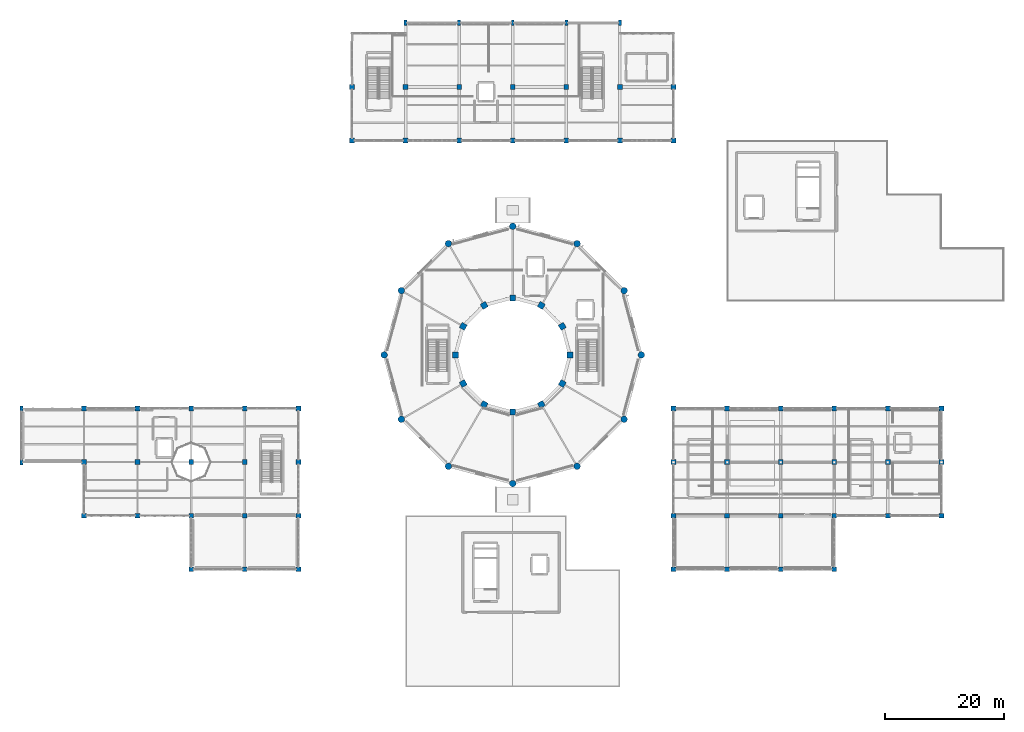
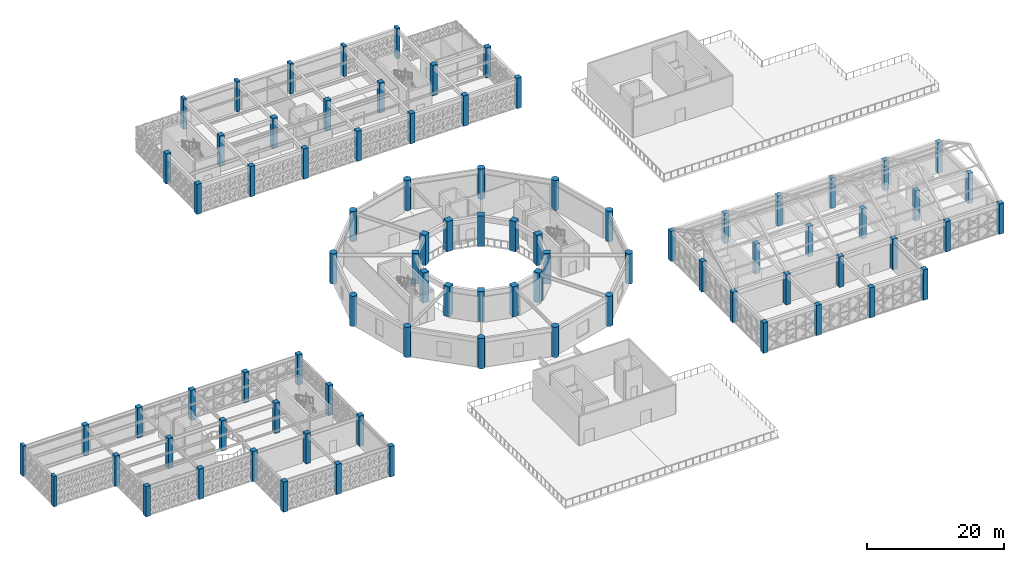
# One storey, part 1 of 86: 85 columns.
"""IFC4 building model written with IfcOpenShell, lengths in metres."""

from ifc_helpers import new_model, si_unit, direction, frame, origin, origin_2d, place, context, subcontext, project, spatial, rectangle, circle, extrude, material, material_profile, profile_set, type_object, element, save


model = new_model("IFC4")

# Units and contexts
model_context = context("Model", 3, precision=1e-05, world=origin(), true_north=direction((0.0, 1.0)))
body_context = subcontext(model_context, "Body", "Model", "MODEL_VIEW")
ifc_project = project(units=[si_unit("LENGTHUNIT", "METRE"), si_unit("AREAUNIT", "SQUARE_METRE"), si_unit("VOLUMEUNIT", "CUBIC_METRE"), si_unit("PLANEANGLEUNIT", "RADIAN"), si_unit("MASSUNIT", "GRAM", prefix="KILO")], contexts=[model_context])

# Site, building, storey
site_placement = place(None, origin())
site = spatial("IfcSite", under=ifc_project, at=site_placement, CompositionType="ELEMENT")
building_placement = place(site_placement, origin())
building = spatial("IfcBuilding", under=site, at=building_placement, Name="Haizhuo Lancet Aquarium", CompositionType="ELEMENT")
storey_placement = place(building_placement, frame((0.0, 0.0, 16.199951171875)))
storey = spatial("IfcBuildingStorey", under=building, at=storey_placement, Name="L03", CompositionType="ELEMENT", Elevation=16.199951171875)

# Columns
ifc_material_1 = material(Name="Concrete C50/60", Category="concrete")
ifc_material_profile_1 = material_profile(ifc_material_1, circle(Radius=0.550048828125, at=origin_2d()), Name="RC-DC 1100")
ifc_profile_set_1 = profile_set([ifc_material_profile_1], Name="Concrete C50/60")
column_type_1 = type_object("IfcColumnType", Name="COL-DC-1100", PredefinedType="COLUMN", material=ifc_profile_set_1)
for number, where, z_axis, x_axis, name in (
    (1, (21.60009765625, 0.0, 0.0), (0.0, 0.0, 1.0), (1.0, 0.0, 0.0), "L03 column V1-COL-001"),
    (2, (18.7060546875, 10.800048828125, 0.0), (0.0, 0.0, 1.0), (0.866025403784, 0.5, 0.0), "L03 column V1-COL-002"),
    (3, (10.800048828125, 18.7060546875, 0.0), (0.0, 0.0, 1.0), (0.5, 0.866025403784, 0.0), "L03 column V1-COL-003"),
    (4, (0.0, 21.60009765625, 0.0), (0.0, 0.0, 1.0), (0.0, 1.0, 0.0), "L03 column V1-COL-004"),
    (5, (-10.800048828125, 18.7060546875, 0.0), (0.0, 0.0, 1.0), (-0.5, 0.866025403784, 0.0), "L03 column V1-COL-005"),
    (6, (-18.7060546875, 10.800048828125, 0.0), (0.0, 0.0, 1.0), (-0.866025403784, 0.5, 0.0), "L03 column V1-COL-006"),
    (7, (-21.60009765625, 0.0, 0.0), (0.0, 0.0, 1.0), (-1.0, 0.0, 0.0), "L03 column V1-COL-007"),
    (8, (-18.7060546875, -10.800048828125, 0.0), (0.0, 0.0, 1.0), (-0.866025403784, -0.5, 0.0), "L03 column V1-COL-008"),
    (9, (-10.800048828125, -18.7060546875, 0.0), (0.0, 0.0, 1.0), (-0.5, -0.866025403784, 0.0), "L03 column V1-COL-009"),
    (10, (0.0, -21.60009765625, 0.0), (0.0, 0.0, 1.0), (0.0, -1.0, 0.0), "L03 column V1-COL-010"),
    (11, (10.800048828125, -18.7060546875, 0.0), (0.0, 0.0, 1.0), (0.5, -0.866025403784, 0.0), "L03 column V1-COL-011"),
    (12, (18.7060546875, -10.800048828125, 0.0), (0.0, 0.0, 1.0), (0.866025403784, -0.5, 0.0), "L03 column V1-COL-012"),
):
    element("IfcColumn", number, at=place(storey_placement, frame(where, z_axis=z_axis, x_axis=x_axis)), inside=storey, type_object=column_type_1, Name=name, PredefinedType="COLUMN", context=body_context, shape_type="SweptSolid", body=[
        extrude(circle(Radius=0.550048828125, at=origin_2d()), origin(), (0.0, 0.0, 1.0), 5.400146484375),
    ])
ifc_material_profile_2 = material_profile(ifc_material_1, rectangle(XDim=1.0, YDim=1.0, at=origin_2d()), Name="RC-COL 1000x1000")
ifc_profile_set_2 = profile_set([ifc_material_profile_2], Name="Concrete C50/60")
column_type_2 = type_object("IfcColumnType", Name="COL-RC-1000", PredefinedType="COLUMN", material=ifc_profile_set_2)
for number, where, z_axis, x_axis, name in (
    (13, (9.60009765625, 0.0, 0.0), (0.0, 0.0, 1.0), (1.0, 0.0, 0.0), "L03 column V1-COL-013"),
    (14, (8.31396484375, 4.800048828125, 0.0), (0.0, 0.0, 1.0), (0.866025403784, 0.5, 0.0), "L03 column V1-COL-014"),
    (15, (4.800048828125, 8.31396484375, 0.0), (0.0, 0.0, 1.0), (0.5, 0.866025403784, 0.0), "L03 column V1-COL-015"),
    (16, (0.0, 9.60009765625, 0.0), (0.0, 0.0, 1.0), (0.0, 1.0, 0.0), "L03 column V1-COL-016"),
    (17, (-4.800048828125, 8.31396484375, 0.0), (0.0, 0.0, 1.0), (-0.5, 0.866025403784, 0.0), "L03 column V1-COL-017"),
    (18, (-8.31396484375, 4.800048828125, 0.0), (0.0, 0.0, 1.0), (-0.866025403784, 0.5, 0.0), "L03 column V1-COL-018"),
    (19, (-9.60009765625, 0.0, 0.0), (0.0, 0.0, 1.0), (-1.0, 0.0, 0.0), "L03 column V1-COL-019"),
    (20, (-8.31396484375, -4.800048828125, 0.0), (0.0, 0.0, 1.0), (-0.866025403784, -0.5, 0.0), "L03 column V1-COL-020"),
    (21, (-4.800048828125, -8.31396484375, 0.0), (0.0, 0.0, 1.0), (-0.5, -0.866025403784, 0.0), "L03 column V1-COL-021"),
    (22, (0.0, -9.60009765625, 0.0), (0.0, 0.0, 1.0), (0.0, -1.0, 0.0), "L03 column V1-COL-022"),
    (23, (4.800048828125, -8.31396484375, 0.0), (0.0, 0.0, 1.0), (0.5, -0.866025403784, 0.0), "L03 column V1-COL-023"),
    (24, (8.31396484375, -4.800048828125, 0.0), (0.0, 0.0, 1.0), (0.866025403784, -0.5, 0.0), "L03 column V1-COL-024"),
):
    element("IfcColumn", number, at=place(storey_placement, frame(where, z_axis=z_axis, x_axis=x_axis)), inside=storey, type_object=column_type_2, Name=name, PredefinedType="COLUMN", context=body_context, shape_type="SweptSolid", body=[
        extrude(rectangle(XDim=1.0, YDim=1.0, at=origin_2d()), origin(), (0.0, 0.0, 1.0), 5.400146484375),
    ])
ifc_material_2 = material(Name="Concrete C40/50", Category="concrete")
ifc_material_profile_3 = material_profile(ifc_material_2, rectangle(XDim=0.800048828125, YDim=0.800048828125, at=origin_2d()), Name="RC-COL 800x800")
ifc_profile_set_3 = profile_set([ifc_material_profile_3], Name="Concrete C40/50")
column_type_3 = type_object("IfcColumnType", Name="COL-RC-800", PredefinedType="COLUMN", material=ifc_profile_set_3)
for number, where, z_axis, x_axis, name in (
    (25, (27.0, -36.0, 0.0), (0.0, 0.0, 1.0), (1.0, 0.0, 0.0), "L03 column V3-COL-042"),
    (26, (27.0, -27.0, 0.0), (0.0, 0.0, 1.0), (1.0, 0.0, 0.0), "L03 column V3-COL-043"),
    (27, (27.0, -18.0, 0.0), (0.0, 0.0, 1.0), (1.0, 0.0, 0.0), "L03 column V3-COL-044"),
    (28, (27.0, -9.0, 0.0), (0.0, 0.0, 1.0), (1.0, 0.0, 0.0), "L03 column V3-COL-045"),
    (29, (36.0, -36.0, 0.0), (0.0, 0.0, 1.0), (1.0, 0.0, 0.0), "L03 column V3-COL-046"),
    (30, (36.0, -27.0, 0.0), (0.0, 0.0, 1.0), (1.0, 0.0, 0.0), "L03 column V3-COL-047"),
    (31, (36.0, -18.0, 0.0), (0.0, 0.0, 1.0), (1.0, 0.0, 0.0), "L03 column V3-COL-048"),
    (32, (36.0, -9.0, 0.0), (0.0, 0.0, 1.0), (1.0, 0.0, 0.0), "L03 column V3-COL-049"),
    (33, (45.0, -36.0, 0.0), (0.0, 0.0, 1.0), (1.0, 0.0, 0.0), "L03 column V3-COL-050"),
    (34, (45.0, -27.0, 0.0), (0.0, 0.0, 1.0), (1.0, 0.0, 0.0), "L03 column V3-COL-051"),
    (35, (45.0, -18.0, 0.0), (0.0, 0.0, 1.0), (1.0, 0.0, 0.0), "L03 column V3-COL-052"),
    (36, (45.0, -9.0, 0.0), (0.0, 0.0, 1.0), (1.0, 0.0, 0.0), "L03 column V3-COL-053"),
    (37, (54.0, -36.0, 0.0), (0.0, 0.0, 1.0), (1.0, 0.0, 0.0), "L03 column V3-COL-054"),
    (38, (54.0, -27.0, 0.0), (0.0, 0.0, 1.0), (1.0, 0.0, 0.0), "L03 column V3-COL-055"),
    (39, (54.0, -18.0, 0.0), (0.0, 0.0, 1.0), (1.0, 0.0, 0.0), "L03 column V3-COL-056"),
    (40, (54.0, -9.0, 0.0), (0.0, 0.0, 1.0), (1.0, 0.0, 0.0), "L03 column V3-COL-057"),
    (41, (63.0, -27.0, 0.0), (0.0, 0.0, 1.0), (1.0, 0.0, 0.0), "L03 column V3-COL-058"),
    (42, (63.0, -18.0, 0.0), (0.0, 0.0, 1.0), (1.0, 0.0, 0.0), "L03 column V3-COL-059"),
    (43, (63.0, -9.0, 0.0), (0.0, 0.0, 1.0), (1.0, 0.0, 0.0), "L03 column V3-COL-060"),
    (44, (72.0, -27.0, 0.0), (0.0, 0.0, 1.0), (1.0, 0.0, 0.0), "L03 column V3-COL-061"),
    (45, (72.0, -18.0, 0.0), (0.0, 0.0, 1.0), (1.0, 0.0, 0.0), "L03 column V3-COL-062"),
    (46, (72.0, -9.0, 0.0), (0.0, 0.0, 1.0), (1.0, 0.0, 0.0), "L03 column V3-COL-063"),
    (47, (-27.0, 36.0, 0.0), (0.0, 0.0, 1.0), (1.0, 0.0, 0.0), "L03 column V5-COL-085"),
    (48, (-27.0, 45.0, 0.0), (0.0, 0.0, 1.0), (1.0, 0.0, 0.0), "L03 column V5-COL-086"),
    (49, (-18.0, 36.0, 0.0), (0.0, 0.0, 1.0), (1.0, 0.0, 0.0), "L03 column V5-COL-088"),
    (50, (-18.0, 45.0, 0.0), (0.0, 0.0, 1.0), (1.0, 0.0, 0.0), "L03 column V5-COL-089"),
    (51, (-9.0, 36.0, 0.0), (0.0, 0.0, 1.0), (1.0, 0.0, 0.0), "L03 column V5-COL-092"),
    (52, (-9.0, 45.0, 0.0), (0.0, 0.0, 1.0), (1.0, 0.0, 0.0), "L03 column V5-COL-093"),
    (53, (0.0, 36.0, 0.0), (0.0, 0.0, 1.0), (1.0, 0.0, 0.0), "L03 column V5-COL-096"),
    (54, (0.0, 45.0, 0.0), (0.0, 0.0, 1.0), (1.0, 0.0, 0.0), "L03 column V5-COL-097"),
    (55, (9.0, 36.0, 0.0), (0.0, 0.0, 1.0), (1.0, 0.0, 0.0), "L03 column V5-COL-100"),
    (56, (9.0, 45.0, 0.0), (0.0, 0.0, 1.0), (1.0, 0.0, 0.0), "L03 column V5-COL-101"),
    (57, (18.0, 36.0, 0.0), (0.0, 0.0, 1.0), (1.0, 0.0, 0.0), "L03 column V5-COL-103"),
    (58, (18.0, 45.0, 0.0), (0.0, 0.0, 1.0), (1.0, 0.0, 0.0), "L03 column V5-COL-104"),
    (59, (27.0, 36.0, 0.0), (0.0, 0.0, 1.0), (1.0, 0.0, 0.0), "L03 column V5-COL-106"),
    (60, (27.0, 45.0, 0.0), (0.0, 0.0, 1.0), (1.0, 0.0, 0.0), "L03 column V5-COL-107"),
    (61, (-72.0, -27.0, 0.0), (0.0, 0.0, 1.0), (1.0, 0.0, 0.0), "L03 column V6-COL-110"),
    (62, (-72.0, -18.0, 0.0), (0.0, 0.0, 1.0), (1.0, 0.0, 0.0), "L03 column V6-COL-111"),
    (63, (-72.0, -9.0, 0.0), (0.0, 0.0, 1.0), (1.0, 0.0, 0.0), "L03 column V6-COL-112"),
    (64, (-63.0, -27.0, 0.0), (0.0, 0.0, 1.0), (1.0, 0.0, 0.0), "L03 column V6-COL-113"),
    (65, (-63.0, -18.0, 0.0), (0.0, 0.0, 1.0), (1.0, 0.0, 0.0), "L03 column V6-COL-114"),
    (66, (-63.0, -9.0, 0.0), (0.0, 0.0, 1.0), (1.0, 0.0, 0.0), "L03 column V6-COL-115"),
    (67, (-54.0, -36.0, 0.0), (0.0, 0.0, 1.0), (1.0, 0.0, 0.0), "L03 column V6-COL-116"),
    (68, (-54.0, -27.0, 0.0), (0.0, 0.0, 1.0), (1.0, 0.0, 0.0), "L03 column V6-COL-117"),
    (69, (-54.0, -18.0, 0.0), (0.0, 0.0, 1.0), (1.0, 0.0, 0.0), "L03 column V6-COL-118"),
    (70, (-54.0, -9.0, 0.0), (0.0, 0.0, 1.0), (1.0, 0.0, 0.0), "L03 column V6-COL-119"),
    (71, (-45.0, -36.0, 0.0), (0.0, 0.0, 1.0), (1.0, 0.0, 0.0), "L03 column V6-COL-120"),
    (72, (-45.0, -27.0, 0.0), (0.0, 0.0, 1.0), (1.0, 0.0, 0.0), "L03 column V6-COL-121"),
    (73, (-45.0, -18.0, 0.0), (0.0, 0.0, 1.0), (1.0, 0.0, 0.0), "L03 column V6-COL-122"),
    (74, (-45.0, -9.0, 0.0), (0.0, 0.0, 1.0), (1.0, 0.0, 0.0), "L03 column V6-COL-123"),
    (75, (-36.0, -36.0, 0.0), (0.0, 0.0, 1.0), (1.0, 0.0, 0.0), "L03 column V6-COL-124"),
    (76, (-36.0, -27.0, 0.0), (0.0, 0.0, 1.0), (1.0, 0.0, 0.0), "L03 column V6-COL-125"),
    (77, (-36.0, -18.0, 0.0), (0.0, 0.0, 1.0), (1.0, 0.0, 0.0), "L03 column V6-COL-126"),
    (78, (-36.0, -9.0, 0.0), (0.0, 0.0, 1.0), (1.0, 0.0, 0.0), "L03 column V6-COL-127"),
):
    element("IfcColumn", number, at=place(storey_placement, frame(where, z_axis=z_axis, x_axis=x_axis)), inside=storey, type_object=column_type_3, Name=name, PredefinedType="COLUMN", context=body_context, shape_type="SweptSolid", body=[
        extrude(rectangle(XDim=0.800048828125, YDim=0.800048828125, at=origin_2d()), origin(), (0.0, 0.0, 1.0), 5.400146484375),
    ])
ifc_material_3 = material(Name="Concrete C45/55", Category="concrete")
ifc_material_profile_4 = material_profile(ifc_material_3, rectangle(XDim=0.5, YDim=0.89990234375, at=origin_2d()), Name="RC-PIL 500x900")
ifc_profile_set_4 = profile_set([ifc_material_profile_4], Name="Concrete C45/55")
column_type_4 = type_object("IfcColumnType", Name="PIL-RC-500x900", PredefinedType="PILASTER", material=ifc_profile_set_4)
for number, where, z_axis, x_axis, name in (
    (79, (-18.0, 55.800048828125, 0.0), (0.0, 0.0, 1.0), (1.0, 0.0, 0.0), "L03 column V5-COL-090"),
    (80, (-9.0, 55.800048828125, 0.0), (0.0, 0.0, 1.0), (1.0, 0.0, 0.0), "L03 column V5-COL-094"),
    (81, (0.0, 55.800048828125, 0.0), (0.0, 0.0, 1.0), (1.0, 0.0, 0.0), "L03 column V5-COL-098"),
    (82, (9.0, 55.800048828125, 0.0), (0.0, 0.0, 1.0), (1.0, 0.0, 0.0), "L03 column V5-COL-102"),
    (83, (18.0, 55.800048828125, 0.0), (0.0, 0.0, 1.0), (1.0, 0.0, 0.0), "L03 column V5-COL-105"),
    (84, (-82.5, -18.0, 0.0), (0.0, 0.0, 1.0), (1.0, 0.0, 0.0), "L03 column V6-COL-108"),
    (85, (-82.5, -9.0, 0.0), (0.0, 0.0, 1.0), (1.0, 0.0, 0.0), "L03 column V6-COL-109"),
):
    element("IfcColumn", number, at=place(storey_placement, frame(where, z_axis=z_axis, x_axis=x_axis)), inside=storey, type_object=column_type_4, Name=name, PredefinedType="PILASTER", context=body_context, shape_type="SweptSolid", body=[
        extrude(rectangle(XDim=0.5, YDim=0.89990234375, at=origin_2d()), origin(), (0.0, 0.0, 1.0), 5.400146484375),
    ])

save(model, "model.ifc")
